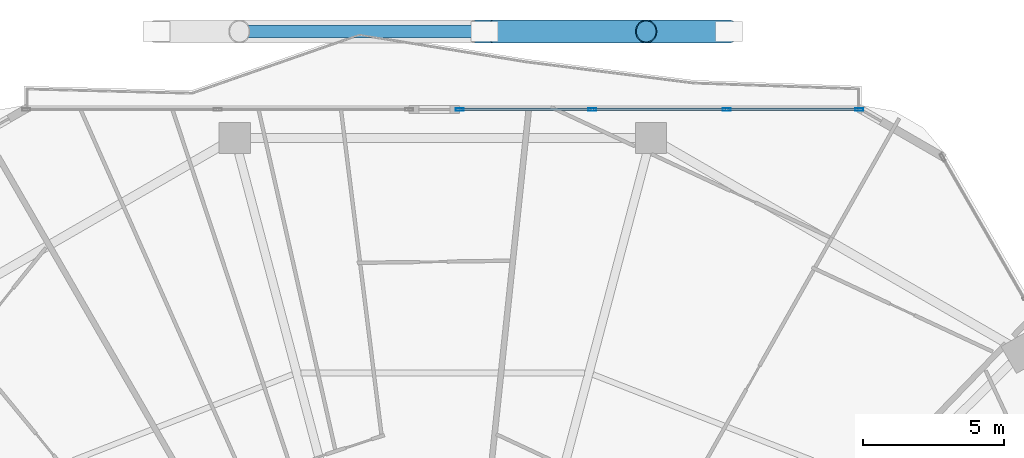
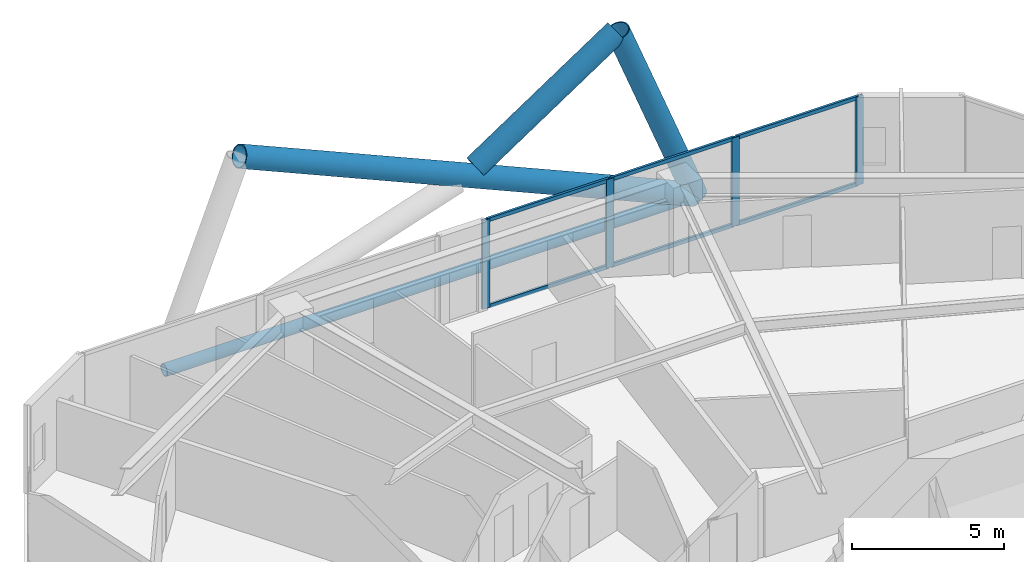
# One storey, part 23 of 35: 14 members, 1 element without a shape of its own.
"""IFC4 building model written with IfcOpenShell, lengths in metres."""

from ifc_helpers import new_model, si_unit, direction, frame, origin, origin_2d, place, context, subcontext, project, spatial, hollow_rectangle, hollow_circle, extrude, material, material_profile, profile_set, type_object, element, aggregate, save


model = new_model("IFC4")

# Units and contexts
model_context = context("Model", 3, precision=1e-05, world=origin(), true_north=direction((0.0, 1.0)))
body_context = subcontext(model_context, "Body", "Model", "MODEL_VIEW")
ifc_project = project(units=[si_unit("LENGTHUNIT", "METRE"), si_unit("AREAUNIT", "SQUARE_METRE"), si_unit("VOLUMEUNIT", "CUBIC_METRE"), si_unit("PLANEANGLEUNIT", "RADIAN"), si_unit("MASSUNIT", "GRAM", prefix="KILO")], contexts=[model_context])

# Site, building, storey
site_placement = place(None, origin())
site = spatial("IfcSite", under=ifc_project, at=site_placement, CompositionType="ELEMENT")
building_placement = place(site_placement, origin())
building = spatial("IfcBuilding", under=site, at=building_placement, Name="Zuhravey Tower", CompositionType="ELEMENT")
storey_placement = place(building_placement, frame((0.0, 0.0, 92.39990234375)))
storey = spatial("IfcBuildingStorey", under=building, at=storey_placement, Name="L22", CompositionType="ELEMENT", Elevation=92.39990234375)

# Curtain wall, members
ifc_material_1 = material(Name="Thermally broken anodised aluminium", Category="aluminium")
curtain_wall_type = type_object("IfcCurtainWallType", Name="Zone 1-2 Residential Curtain Wall CW3", PredefinedType="NOTDEFINED", material=ifc_material_1)
curtain_wall_placement = place(storey_placement, origin())
curtain_wall = element("IfcCurtainWall", 1, at=curtain_wall_placement, inside=storey, type_object=curtain_wall_type, Name="L22 CW3 CW-L22-F2-2", PredefinedType="NOTDEFINED")
ifc_material_2 = material(Name="Anodised aluminium", Category="aluminium")
ifc_material_profile_1 = material_profile(ifc_material_2, hollow_rectangle(XDim=0.090087890625, YDim=0.284912109375, WallThickness=0.0048828125, at=origin_2d()), Name="ALU-RHS-90x285x5")
ifc_profile_set_1 = profile_set([ifc_material_profile_1], Name="Anodised aluminium")
member_type_1 = type_object("IfcMemberType", Name="Curtain-Wall Mullion 90x180", PredefinedType="MULLION", material=ifc_profile_set_1)
member_1_placement = place(storey_placement, frame((36.593505859375, 60.95849609375, 0.0), z_axis=(0.0, 0.0, 1.0), x_axis=(0.0, 1.0, 0.0)))
member_1 = element("IfcMember", 2, at=member_1_placement, type_object=member_type_1, Name="CW3 mullion 1", PredefinedType="MULLION", context=body_context, shape_type="SweptSolid", body=[
    extrude(hollow_rectangle(XDim=0.090087890625, YDim=0.284912109375, WallThickness=0.0048828125, at=origin_2d()), origin(), (0.0, 0.0, 1.0), 3.550048828125),
])
member_2_placement = place(storey_placement, frame((41.298828125, 60.95849609375, 0.0), z_axis=(0.0, 0.0, 1.0), x_axis=(0.0, 1.0, 0.0)))
member_2 = element("IfcMember", 3, at=member_2_placement, type_object=member_type_1, Name="CW3 mullion 2", PredefinedType="MULLION", context=body_context, shape_type="SweptSolid", body=[
    extrude(hollow_rectangle(XDim=0.090087890625, YDim=0.284912109375, WallThickness=0.0048828125, at=origin_2d()), origin(), (0.0, 0.0, 1.0), 3.550048828125),
])
member_3_placement = place(storey_placement, frame((46.049072265625, 60.95849609375, 0.0), z_axis=(0.0, 0.0, 1.0), x_axis=(0.0, 1.0, 0.0)))
member_3 = element("IfcMember", 4, at=member_3_placement, type_object=member_type_1, Name="CW3 mullion 3", PredefinedType="MULLION", context=body_context, shape_type="SweptSolid", body=[
    extrude(hollow_rectangle(XDim=0.090087890625, YDim=0.284912109375, WallThickness=0.0048828125, at=origin_2d()), origin(), (0.0, 0.0, 1.0), 3.550048828125),
])
member_4_placement = place(storey_placement, frame((50.75439453125, 60.95849609375, 0.0), z_axis=(0.0, 0.0, 1.0), x_axis=(0.0, 1.0, 0.0)))
member_4 = element("IfcMember", 5, at=member_4_placement, type_object=member_type_1, Name="CW3 mullion 4", PredefinedType="MULLION", context=body_context, shape_type="SweptSolid", body=[
    extrude(hollow_rectangle(XDim=0.090087890625, YDim=0.284912109375, WallThickness=0.0048828125, at=origin_2d()), origin(), (0.0, 0.0, 1.0), 3.550048828125),
])
ifc_material_profile_2 = material_profile(ifc_material_2, hollow_rectangle(XDim=0.090087890625, YDim=0.14990234375, WallThickness=0.0048828125, at=origin_2d()), Name="ALU-RHS-90x150x5")
ifc_profile_set_2 = profile_set([ifc_material_profile_2], Name="Anodised aluminium")
member_type_2 = type_object("IfcMemberType", Name="Curtain-Wall Transom 90x150", PredefinedType="USERDEFINED", material=ifc_profile_set_2)
member_5_placement = place(storey_placement, frame((36.638427734375, 60.95849609375, 0.045166015625), z_axis=(1.0, 0.0, 0.0), x_axis=(0.0, 1.0, 0.0)))
member_5 = element("IfcMember", 6, at=member_5_placement, type_object=member_type_2, Name="CW3 transom 1.1", ObjectType="TRANSOM", PredefinedType="USERDEFINED", context=body_context, shape_type="SweptSolid", body=[
    extrude(hollow_rectangle(XDim=0.090087890625, YDim=0.14990234375, WallThickness=0.0048828125, at=origin_2d()), origin(), (0.0, 0.0, 1.0), 4.615234375),
])
member_6_placement = place(storey_placement, frame((36.638427734375, 60.95849609375, 3.505126953125), z_axis=(1.0, 0.0, 0.0), x_axis=(0.0, 1.0, 0.0)))
member_6 = element("IfcMember", 7, at=member_6_placement, type_object=member_type_2, Name="CW3 transom 1.2", ObjectType="TRANSOM", PredefinedType="USERDEFINED", context=body_context, shape_type="SweptSolid", body=[
    extrude(hollow_rectangle(XDim=0.090087890625, YDim=0.14990234375, WallThickness=0.0048828125, at=origin_2d()), origin(), (0.0, 0.0, 1.0), 4.615234375),
])
member_7_placement = place(storey_placement, frame((41.34375, 60.95849609375, 0.045166015625), z_axis=(1.0, 0.0, 0.0), x_axis=(0.0, 1.0, 0.0)))
member_7 = element("IfcMember", 8, at=member_7_placement, type_object=member_type_2, Name="CW3 transom 2.1", ObjectType="TRANSOM", PredefinedType="USERDEFINED", context=body_context, shape_type="SweptSolid", body=[
    extrude(hollow_rectangle(XDim=0.090087890625, YDim=0.14990234375, WallThickness=0.0048828125, at=origin_2d()), origin(), (0.0, 0.0, 1.0), 4.660400390625),
])
member_8_placement = place(storey_placement, frame((41.34375, 60.95849609375, 3.505126953125), z_axis=(1.0, 0.0, 0.0), x_axis=(0.0, 1.0, 0.0)))
member_8 = element("IfcMember", 9, at=member_8_placement, type_object=member_type_2, Name="CW3 transom 2.2", ObjectType="TRANSOM", PredefinedType="USERDEFINED", context=body_context, shape_type="SweptSolid", body=[
    extrude(hollow_rectangle(XDim=0.090087890625, YDim=0.14990234375, WallThickness=0.0048828125, at=origin_2d()), origin(), (0.0, 0.0, 1.0), 4.660400390625),
])
member_9_placement = place(storey_placement, frame((46.09423828125, 60.95849609375, 0.045166015625), z_axis=(1.0, 0.0, 0.0), x_axis=(0.0, 1.0, 0.0)))
member_9 = element("IfcMember", 10, at=member_9_placement, type_object=member_type_2, Name="CW3 transom 3.1", ObjectType="TRANSOM", PredefinedType="USERDEFINED", context=body_context, shape_type="SweptSolid", body=[
    extrude(hollow_rectangle(XDim=0.090087890625, YDim=0.14990234375, WallThickness=0.0048828125, at=origin_2d()), origin(), (0.0, 0.0, 1.0), 4.615234375),
])
member_10_placement = place(storey_placement, frame((46.09423828125, 60.95849609375, 3.505126953125), z_axis=(1.0, 0.0, 0.0), x_axis=(0.0, 1.0, 0.0)))
member_10 = element("IfcMember", 11, at=member_10_placement, type_object=member_type_2, Name="CW3 transom 3.2", ObjectType="TRANSOM", PredefinedType="USERDEFINED", context=body_context, shape_type="SweptSolid", body=[
    extrude(hollow_rectangle(XDim=0.090087890625, YDim=0.14990234375, WallThickness=0.0048828125, at=origin_2d()), origin(), (0.0, 0.0, 1.0), 4.615234375),
])
aggregate(curtain_wall, [member_1, member_2, member_3, member_4, member_5, member_6, member_7, member_8, member_9, member_10])

# Members
ifc_material_3 = material(Name="Steel SM355", Category="steel")
ifc_material_profile_3 = material_profile(ifc_material_3, hollow_circle(Radius=0.228515625, WallThickness=0.02197265625, at=origin_2d()), Name="CHS-457.2x22")
ifc_profile_set_3 = profile_set([ifc_material_profile_3], Name="Steel SM355")
member_type_3 = type_object("IfcMemberType", Name="Exoskeleton Ring Tie CHS457x22", PredefinedType="CHORD", material=ifc_profile_set_3)
member_11_placement = place(storey_placement, frame((45.996826171875, 63.718505859375, -0.4638671875), z_axis=(-1.0, 0.0, 0.0), x_axis=(0.0, -1.0, 0.0)))
element("IfcMember", 12, at=member_11_placement, inside=storey, type_object=member_type_3, Name="L22 Exoskeleton Face 2 Tie EXR1", PredefinedType="CHORD", context=body_context, shape_type="SweptSolid", body=[
    extrude(hollow_circle(Radius=0.228515625, WallThickness=0.02197265625, at=origin_2d()), origin(), (0.0, 0.0, 1.0), 19.99365234375),
])
ifc_material_4 = material(Name="Steel SM460", Category="steel")
ifc_material_profile_4 = material_profile(ifc_material_4, hollow_circle(Radius=0.406494140625, WallThickness=0.035888671875, at=origin_2d()), Name="CHS-812.8x36")
ifc_profile_set_4 = profile_set([ifc_material_profile_4], Name="Steel SM460")
member_type_4 = type_object("IfcMemberType", Name="Exoskeleton Zone 1 Diagrid CHS813x36", PredefinedType="BRACE", material=ifc_profile_set_4)
member_12_placement = place(storey_placement, frame((46.128173828125, 63.718505859375, -0.44189453125), z_axis=(-0.361092156446, 0.0, 0.932530136003), x_axis=(0.0, -1.0, 0.0)))
element("IfcMember", 13, at=member_12_placement, inside=storey, type_object=member_type_4, Name="L22 Face 2 Diagrid Brace 1", PredefinedType="BRACE", context=body_context, shape_type="SweptSolid", body=[
    extrude(hollow_circle(Radius=0.406494140625, WallThickness=0.035888671875, at=origin_2d()), origin(), (0.0, 0.0, 1.0), 8.1025390625),
])
member_13_placement = place(storey_placement, frame((46.086669921875, 63.718505859375, -0.44189453125), z_axis=(-0.915813914958, 0.0, 0.401602879931), x_axis=(0.0, -1.0, 0.0)))
element("IfcMember", 14, at=member_13_placement, inside=storey, type_object=member_type_4, Name="L22 Face 2 Diagrid Brace 2", PredefinedType="BRACE", context=body_context, shape_type="SweptSolid", body=[
    extrude(hollow_circle(Radius=0.406494140625, WallThickness=0.035888671875, at=origin_2d()), origin(), (0.0, 0.0, 1.0), 18.814453125),
])
member_14_placement = place(storey_placement, frame((37.8017578125, 63.718505859375, 3.555419921875), z_axis=(0.833055542468, 0.0, 0.553189355613), x_axis=(0.0, 1.0, 0.0)))
element("IfcMember", 15, at=member_14_placement, inside=storey, type_object=member_type_4, Name="L22 Face 2 Split Diagrid Brace 3B", PredefinedType="BRACE", context=body_context, shape_type="SweptSolid", body=[
    extrude(hollow_circle(Radius=0.406494140625, WallThickness=0.035888671875, at=origin_2d()), origin(), (0.0, 0.0, 1.0), 6.41796875),
])

save(model, "model.ifc")
